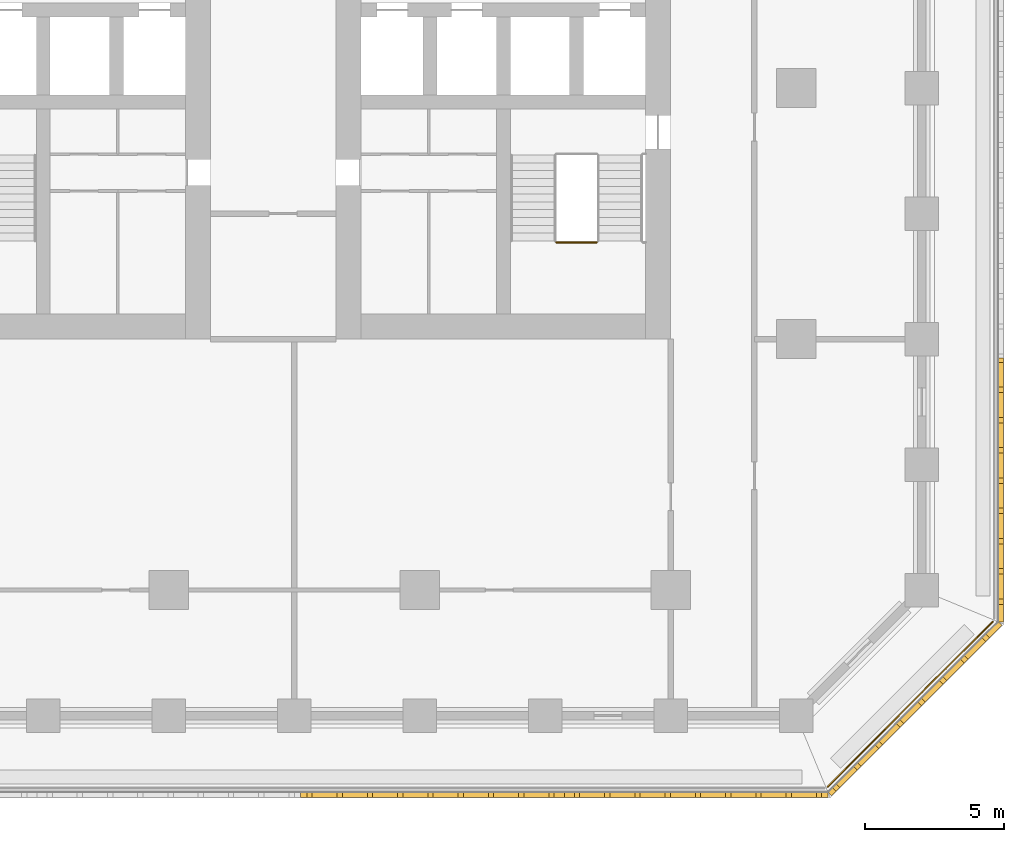
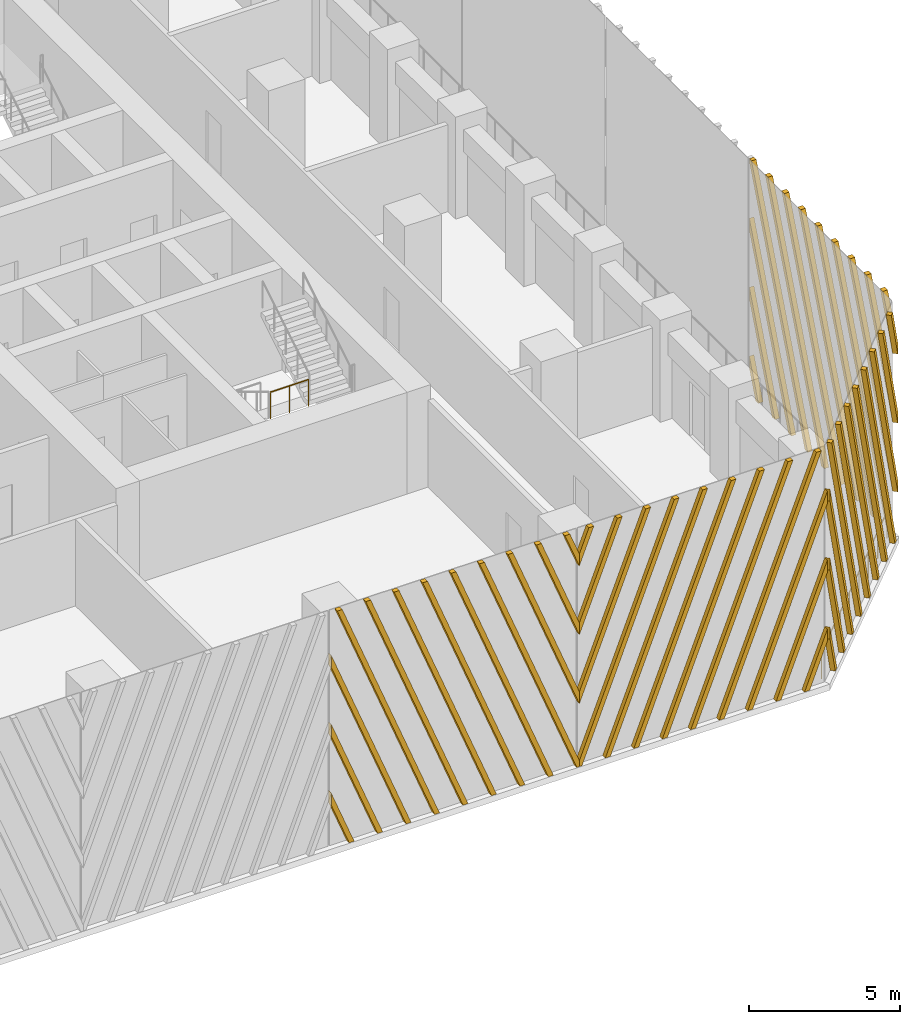
# One storey, part 10 of 17: 4 shading devices, 2 railings.
"""IFC4 building model written with IfcOpenShell, lengths in metres."""

from ifc_helpers import new_model, si_unit, direction, frame, origin, origin_2d, place, context, subcontext, project, spatial, polyline, circle, outline, extrude, source, transform, mapped, material, type_object, element, save


model = new_model("IFC4")

# Units and contexts
model_context = context("Model", 3, precision=1e-05, world=origin(), true_north=direction((0.0, 1.0)))
body_context = subcontext(model_context, "Body", "Model", "MODEL_VIEW")
ifc_project = project(units=[si_unit("LENGTHUNIT", "METRE"), si_unit("AREAUNIT", "SQUARE_METRE"), si_unit("VOLUMEUNIT", "CUBIC_METRE"), si_unit("PLANEANGLEUNIT", "RADIAN"), si_unit("MASSUNIT", "GRAM", prefix="KILO")], contexts=[model_context])

# Site, building, storey
site_placement = place(None, origin())
site = spatial("IfcSite", under=ifc_project, at=site_placement, CompositionType="ELEMENT")
building_placement = place(site_placement, origin())
building = spatial("IfcBuilding", under=site, at=building_placement, Name="Corbel Stack Research Tower", CompositionType="ELEMENT")
storey_placement = place(building_placement, frame((0.0, 0.0, 141.300048828125)))
storey = spatial("IfcBuildingStorey", under=building, at=storey_placement, Name="L32", CompositionType="ELEMENT", Elevation=141.300048828125)

# Railings
ifc_material_1 = material(Name="Steel S355", Category="steel")
railing_type_1 = type_object("IfcRailingType", Name="Stair guard 1100", PredefinedType="GUARDRAIL", material=ifc_material_1)
railing_1_placement = place(storey_placement, frame((13.89990234375, -5.530029296875, 2.050048828125)))
element("IfcRailing", 1, at=railing_1_placement, inside=storey, type_object=railing_type_1, Name="L32 ST-E1 stair guard 2", PredefinedType="GUARDRAIL", context=body_context, shape_type="SweptSolid", body=[
    extrude(circle(Radius=0.02392578125, at=origin_2d()), frame((0.0, 0.0, 1.076171875), z_axis=(1.0, 0.0, 0.0), x_axis=(0.0, 1.0, 0.0)), (0.0, 0.0, 1.0), 1.4501953125),
    extrude(circle(Radius=0.02099609375, at=origin_2d()), origin(), (0.0, 0.0, 1.0), 1.052001953125),
    extrude(circle(Radius=0.02099609375, at=origin_2d()), frame((0.72509765625, 0.0, 0.0)), (0.0, 0.0, 1.0), 1.052001953125),
    extrude(circle(Radius=0.02099609375, at=origin_2d()), frame((1.4501953125, 0.0, 0.0)), (0.0, 0.0, 1.0), 1.052001953125),
])
ifc_material_2 = material(Name="Powder-coated steel guard", Category="steel")
railing_type_2 = type_object("IfcRailingType", Name="Steel and glass guard 1100", PredefinedType="GUARDRAIL", material=ifc_material_2)
railing_2_placement = place(storey_placement, frame((23.627685546875, -25.04931640625, 0.0)))
element("IfcRailing", 2, at=railing_2_placement, inside=storey, type_object=railing_type_2, Name="Loggia guard L32 SE", PredefinedType="GUARDRAIL", context=body_context, shape_type="SweptSolid", body=[
    extrude(circle(Radius=0.02392578125, at=origin_2d()), frame((0.0, 0.0, 1.076171875), z_axis=(0.707106781187, 0.707106781187, 0.0), x_axis=(-0.707106781187, 0.707106781187, 0.0)), (0.0, 0.0, 1.0), 8.37451171875),
    extrude(circle(Radius=0.02099609375, at=origin_2d()), origin(), (0.0, 0.0, 1.0), 1.052001953125),
    extrude(circle(Radius=0.02099609375, at=origin_2d()), frame((0.845947265625, 0.845947265625, 0.0)), (0.0, 0.0, 1.0), 1.052001953125),
    extrude(circle(Radius=0.02099609375, at=origin_2d()), frame((1.69189453125, 1.69189453125, 0.0)), (0.0, 0.0, 1.0), 1.052001953125),
    extrude(circle(Radius=0.02099609375, at=origin_2d()), frame((2.537841796875, 2.537841796875, 0.0)), (0.0, 0.0, 1.0), 1.052001953125),
    extrude(circle(Radius=0.02099609375, at=origin_2d()), frame((3.3837890625, 3.3837890625, 0.0)), (0.0, 0.0, 1.0), 1.052001953125),
    extrude(circle(Radius=0.02099609375, at=origin_2d()), frame((4.229736328125, 4.229736328125, 0.0)), (0.0, 0.0, 1.0), 1.052001953125),
    extrude(circle(Radius=0.02099609375, at=origin_2d()), frame((5.07568359375, 5.07568359375, 0.0)), (0.0, 0.0, 1.0), 1.052001953125),
    extrude(circle(Radius=0.02099609375, at=origin_2d()), frame((5.921630859375, 5.921630859375, 0.0)), (0.0, 0.0, 1.0), 1.052001953125),
])

# Shading devices
ifc_material_3 = material(Name="Precast terracotta", Category="masonry")
shading_device_type = type_object("IfcShadingDeviceType", Name="Terracotta screen panel", PredefinedType="USERDEFINED", material=ifc_material_3)
shared_shape_1 = source(origin(), body_context, "Body", "SweptSolid", [
    extrude(outline(polyline([(0.55126953125, 9.5), (0.361083984375, 9.5), (0.0, 8.5751953125), (0.0, 8.088623046875), (0.55126953125, 9.5)])), frame((0.0, 0.0, 0.0), z_axis=(0.0, -1.0, 0.0), x_axis=(1.0, 0.0, 0.0)), (0.0, 0.0, 1.0), 0.179931640625),
    extrude(outline(polyline([(1.635986328125, 9.5), (1.44580078125, 9.5), (0.0, 5.7978515625), (0.0, 5.311279296875), (1.635986328125, 9.5)])), frame((0.0, 0.0, 0.0), z_axis=(0.0, -1.0, 0.0), x_axis=(1.0, 0.0, 0.0)), (0.0, 0.0, 1.0), 0.179931640625),
    extrude(outline(polyline([(2.720458984375, 9.5), (2.530517578125, 9.5), (0.0, 3.0205078125), (0.0, 2.533935546875), (2.720458984375, 9.5)])), frame((0.0, 0.0, 0.0), z_axis=(0.0, -1.0, 0.0), x_axis=(1.0, 0.0, 0.0)), (0.0, 0.0, 1.0), 0.179931640625),
    extrude(outline(polyline([(0.094970703125, 0.0), (3.80517578125, 9.5), (3.615234375, 9.5), (0.0, 0.2431640625), (0.0, 0.0), (0.094970703125, 0.0)])), frame((0.0, 0.0, 0.0), z_axis=(0.0, -1.0, 0.0), x_axis=(1.0, 0.0, 0.0)), (0.0, 0.0, 1.0), 0.179931640625),
    extrude(outline(polyline([(1.1796875, 0.0), (4.889892578125, 9.5), (4.699951171875, 9.5), (0.98974609375, 0.0), (1.1796875, 0.0)])), frame((0.0, 0.0, 0.0), z_axis=(0.0, -1.0, 0.0), x_axis=(1.0, 0.0, 0.0)), (0.0, 0.0, 1.0), 0.179931640625),
    extrude(outline(polyline([(2.264404296875, 0.0), (5.974609375, 9.5), (5.784423828125, 9.5), (2.07421875, 0.0), (2.264404296875, 0.0)])), frame((0.0, 0.0, 0.0), z_axis=(0.0, -1.0, 0.0), x_axis=(1.0, 0.0, 0.0)), (0.0, 0.0, 1.0), 0.179931640625),
    extrude(outline(polyline([(3.34912109375, 0.0), (7.05908203125, 9.5), (6.869140625, 9.5), (3.158935546875, 0.0), (3.34912109375, 0.0)])), frame((0.0, 0.0, 0.0), z_axis=(0.0, -1.0, 0.0), x_axis=(1.0, 0.0, 0.0)), (0.0, 0.0, 1.0), 0.179931640625),
    extrude(outline(polyline([(4.43359375, 0.0), (8.143798828125, 9.5), (7.953857421875, 9.5), (4.24365234375, 0.0), (4.43359375, 0.0)])), frame((0.0, 0.0, 0.0), z_axis=(0.0, -1.0, 0.0), x_axis=(1.0, 0.0, 0.0)), (0.0, 0.0, 1.0), 0.179931640625),
    extrude(outline(polyline([(5.518310546875, 0.0), (9.228515625, 9.5), (9.03857421875, 9.5), (5.328369140625, 0.0), (5.518310546875, 0.0)])), frame((0.0, 0.0, 0.0), z_axis=(0.0, -1.0, 0.0), x_axis=(1.0, 0.0, 0.0)), (0.0, 0.0, 1.0), 0.179931640625),
    extrude(outline(polyline([(6.60302734375, 0.0), (9.45556640625, 7.30419921875), (9.45556640625, 7.790771484375), (6.4130859375, 0.0), (6.60302734375, 0.0)])), frame((0.0, 0.0, 0.0), z_axis=(0.0, -1.0, 0.0), x_axis=(1.0, 0.0, 0.0)), (0.0, 0.0, 1.0), 0.179931640625),
    extrude(outline(polyline([(7.687744140625, 0.0), (9.45556640625, 4.52685546875), (9.45556640625, 5.013427734375), (7.497802734375, 0.0), (7.687744140625, 0.0)])), frame((0.0, 0.0, 0.0), z_axis=(0.0, -1.0, 0.0), x_axis=(1.0, 0.0, 0.0)), (0.0, 0.0, 1.0), 0.179931640625),
    extrude(outline(polyline([(8.772216796875, 0.0), (9.45556640625, 1.74951171875), (9.45556640625, 2.236083984375), (8.582275390625, 0.0), (8.772216796875, 0.0)])), frame((0.0, 0.0, 0.0), z_axis=(0.0, -1.0, 0.0), x_axis=(1.0, 0.0, 0.0)), (0.0, 0.0, 1.0), 0.179931640625),
])
shading_device_1_placement = place(storey_placement, frame((14.18359375, -25.25, 0.0), z_axis=(0.0, 0.0, 1.0), x_axis=(1.0, 0.0, 0.0)))
element("IfcShadingDevice", 3, at=shading_device_1_placement, inside=storey, type_object=shading_device_type, Name="Terracotta screen L32 S5", ObjectType="SCREEN", PredefinedType="USERDEFINED", context=body_context, shape_type="MappedRepresentation", body=[
    mapped(shared_shape_1, transform((0.0, 0.0, 0.0))),
])
shared_shape_2 = source(origin(), body_context, "Body", "SweptSolid", [
    extrude(outline(polyline([(0.873291015625, 0.0), (0.0, 2.236083984375), (0.0, 1.74951171875), (0.683349609375, 0.0), (0.873291015625, 0.0)])), frame((0.0, 0.0, 0.0), z_axis=(0.0, -1.0, 0.0), x_axis=(1.0, 0.0, 0.0)), (0.0, 0.0, 1.0), 0.179931640625),
    extrude(outline(polyline([(1.9580078125, 0.0), (0.0, 5.013427734375), (0.0, 4.52685546875), (1.76806640625, 0.0), (1.9580078125, 0.0)])), frame((0.0, 0.0, 0.0), z_axis=(0.0, -1.0, 0.0), x_axis=(1.0, 0.0, 0.0)), (0.0, 0.0, 1.0), 0.179931640625),
    extrude(outline(polyline([(3.04248046875, 0.0), (0.0, 7.790771484375), (0.0, 7.30419921875), (2.8525390625, 0.0), (3.04248046875, 0.0)])), frame((0.0, 0.0, 0.0), z_axis=(0.0, -1.0, 0.0), x_axis=(1.0, 0.0, 0.0)), (0.0, 0.0, 1.0), 0.179931640625),
    extrude(outline(polyline([(4.127197265625, 0.0), (0.4169921875, 9.5), (0.22705078125, 9.5), (3.937255859375, 0.0), (4.127197265625, 0.0)])), frame((0.0, 0.0, 0.0), z_axis=(0.0, -1.0, 0.0), x_axis=(1.0, 0.0, 0.0)), (0.0, 0.0, 1.0), 0.179931640625),
    extrude(outline(polyline([(5.2119140625, 0.0), (1.501708984375, 9.5), (1.311767578125, 9.5), (5.02197265625, 0.0), (5.2119140625, 0.0)])), frame((0.0, 0.0, 0.0), z_axis=(0.0, -1.0, 0.0), x_axis=(1.0, 0.0, 0.0)), (0.0, 0.0, 1.0), 0.179931640625),
    extrude(outline(polyline([(6.296630859375, 0.0), (2.58642578125, 9.5), (2.396484375, 9.5), (6.106689453125, 0.0), (6.296630859375, 0.0)])), frame((0.0, 0.0, 0.0), z_axis=(0.0, -1.0, 0.0), x_axis=(1.0, 0.0, 0.0)), (0.0, 0.0, 1.0), 0.179931640625),
    extrude(outline(polyline([(7.38134765625, 0.0), (3.671142578125, 9.5), (3.481201171875, 9.5), (7.19140625, 0.0), (7.38134765625, 0.0)])), frame((0.0, 0.0, 0.0), z_axis=(0.0, -1.0, 0.0), x_axis=(1.0, 0.0, 0.0)), (0.0, 0.0, 1.0), 0.179931640625),
    extrude(outline(polyline([(8.466064453125, 0.0), (4.755859375, 9.5), (4.56591796875, 9.5), (8.27587890625, 0.0), (8.466064453125, 0.0)])), frame((0.0, 0.0, 0.0), z_axis=(0.0, -1.0, 0.0), x_axis=(1.0, 0.0, 0.0)), (0.0, 0.0, 1.0), 0.179931640625),
    extrude(outline(polyline([(9.45556640625, 0.0), (9.45556640625, 0.2431640625), (5.84033203125, 9.5), (5.650390625, 9.5), (9.360595703125, 0.0), (9.45556640625, 0.0)])), frame((0.0, 0.0, 0.0), z_axis=(0.0, -1.0, 0.0), x_axis=(1.0, 0.0, 0.0)), (0.0, 0.0, 1.0), 0.179931640625),
    extrude(outline(polyline([(6.925048828125, 9.5), (6.735107421875, 9.5), (9.45556640625, 2.533935546875), (9.45556640625, 3.0205078125), (6.925048828125, 9.5)])), frame((0.0, 0.0, 0.0), z_axis=(0.0, -1.0, 0.0), x_axis=(1.0, 0.0, 0.0)), (0.0, 0.0, 1.0), 0.179931640625),
    extrude(outline(polyline([(8.009765625, 9.5), (7.81982421875, 9.5), (9.45556640625, 5.311279296875), (9.45556640625, 5.7978515625), (8.009765625, 9.5)])), frame((0.0, 0.0, 0.0), z_axis=(0.0, -1.0, 0.0), x_axis=(1.0, 0.0, 0.0)), (0.0, 0.0, 1.0), 0.179931640625),
    extrude(outline(polyline([(9.094482421875, 9.5), (8.904296875, 9.5), (9.45556640625, 8.088623046875), (9.45556640625, 8.5751953125), (9.094482421875, 9.5)])), frame((0.0, 0.0, 0.0), z_axis=(0.0, -1.0, 0.0), x_axis=(1.0, 0.0, 0.0)), (0.0, 0.0, 1.0), 0.179931640625),
])
shading_device_2_placement = place(storey_placement, frame((4.727783203125, -25.25, 0.0), z_axis=(0.0, 0.0, 1.0), x_axis=(1.0, 0.0, 0.0)))
element("IfcShadingDevice", 4, at=shading_device_2_placement, inside=storey, type_object=shading_device_type, Name="Terracotta screen L32 S4", ObjectType="SCREEN", PredefinedType="USERDEFINED", context=body_context, shape_type="MappedRepresentation", body=[
    mapped(shared_shape_2, transform((0.0, 0.0, 0.0))),
])
shared_shape_3 = source(origin(), body_context, "Body", "SweptSolid", [
    extrude(outline(polyline([(0.873291015625, 0.0), (0.0, 2.236083984375), (0.0, 1.74951171875), (0.683349609375, 0.0), (0.873291015625, 0.0)])), frame((0.0, 0.0, 0.0), z_axis=(0.0, -1.0, 0.0), x_axis=(1.0, 0.0, 0.0)), (0.0, 0.0, 1.0), 0.179931640625),
    extrude(outline(polyline([(1.9580078125, 0.0), (0.0, 5.013427734375), (0.0, 4.52685546875), (1.76806640625, 0.0), (1.9580078125, 0.0)])), frame((0.0, 0.0, 0.0), z_axis=(0.0, -1.0, 0.0), x_axis=(1.0, 0.0, 0.0)), (0.0, 0.0, 1.0), 0.179931640625),
    extrude(outline(polyline([(3.04248046875, 0.0), (0.0, 7.790771484375), (0.0, 7.30419921875), (2.8525390625, 0.0), (3.04248046875, 0.0)])), frame((0.0, 0.0, 0.0), z_axis=(0.0, -1.0, 0.0), x_axis=(1.0, 0.0, 0.0)), (0.0, 0.0, 1.0), 0.179931640625),
    extrude(outline(polyline([(4.127197265625, 0.0), (0.4169921875, 9.5), (0.22705078125, 9.5), (3.937255859375, 0.0), (4.127197265625, 0.0)])), frame((0.0, 0.0, 0.0), z_axis=(0.0, -1.0, 0.0), x_axis=(1.0, 0.0, 0.0)), (0.0, 0.0, 1.0), 0.179931640625),
    extrude(outline(polyline([(5.2119140625, 0.0), (1.501708984375, 9.5), (1.311767578125, 9.5), (5.02197265625, 0.0), (5.2119140625, 0.0)])), frame((0.0, 0.0, 0.0), z_axis=(0.0, -1.0, 0.0), x_axis=(1.0, 0.0, 0.0)), (0.0, 0.0, 1.0), 0.179931640625),
    extrude(outline(polyline([(6.296630859375, 0.0), (2.58642578125, 9.5), (2.396484375, 9.5), (6.106689453125, 0.0), (6.296630859375, 0.0)])), frame((0.0, 0.0, 0.0), z_axis=(0.0, -1.0, 0.0), x_axis=(1.0, 0.0, 0.0)), (0.0, 0.0, 1.0), 0.179931640625),
    extrude(outline(polyline([(7.38134765625, 0.0), (3.671142578125, 9.5), (3.481201171875, 9.5), (7.19140625, 0.0), (7.38134765625, 0.0)])), frame((0.0, 0.0, 0.0), z_axis=(0.0, -1.0, 0.0), x_axis=(1.0, 0.0, 0.0)), (0.0, 0.0, 1.0), 0.179931640625),
    extrude(outline(polyline([(8.466064453125, 0.0), (4.755859375, 9.5), (4.56591796875, 9.5), (8.27587890625, 0.0), (8.466064453125, 0.0)])), frame((0.0, 0.0, 0.0), z_axis=(0.0, -1.0, 0.0), x_axis=(1.0, 0.0, 0.0)), (0.0, 0.0, 1.0), 0.179931640625),
    extrude(outline(polyline([(5.84033203125, 9.5), (5.650390625, 9.5), (8.64208984375, 1.839599609375), (8.64208984375, 2.326171875), (5.84033203125, 9.5)])), frame((0.0, 0.0, 0.0), z_axis=(0.0, -1.0, 0.0), x_axis=(1.0, 0.0, 0.0)), (0.0, 0.0, 1.0), 0.179931640625),
    extrude(outline(polyline([(6.925048828125, 9.5), (6.735107421875, 9.5), (8.64208984375, 4.616943359375), (8.64208984375, 5.103515625), (6.925048828125, 9.5)])), frame((0.0, 0.0, 0.0), z_axis=(0.0, -1.0, 0.0), x_axis=(1.0, 0.0, 0.0)), (0.0, 0.0, 1.0), 0.179931640625),
    extrude(outline(polyline([(8.009765625, 9.5), (7.81982421875, 9.5), (8.64208984375, 7.394287109375), (8.64208984375, 7.880859375), (8.009765625, 9.5)])), frame((0.0, 0.0, 0.0), z_axis=(0.0, -1.0, 0.0), x_axis=(1.0, 0.0, 0.0)), (0.0, 0.0, 1.0), 0.179931640625),
])
shading_device_3_placement = place(storey_placement, frame((23.63916015625, -25.25, 0.0), z_axis=(0.0, 0.0, 1.0), x_axis=(0.707106781187, 0.707106781187, 0.0)))
element("IfcShadingDevice", 5, at=shading_device_3_placement, inside=storey, type_object=shading_device_type, Name="Terracotta screen L32 SE1", ObjectType="SCREEN", PredefinedType="USERDEFINED", context=body_context, shape_type="MappedRepresentation", body=[
    mapped(shared_shape_3, transform((0.0, 0.0, 0.0))),
])
shared_shape_4 = source(origin(), body_context, "Body", "SweptSolid", [
    extrude(outline(polyline([(0.822509765625, 9.5), (0.63232421875, 9.5), (0.0, 7.880859375), (0.0, 7.394287109375), (0.822509765625, 9.5)])), frame((0.0, 0.0, 0.0), z_axis=(0.0, -1.0, 0.0), x_axis=(1.0, 0.0, 0.0)), (0.0, 0.0, 1.0), 0.179931640625),
    extrude(outline(polyline([(1.906982421875, 9.5), (1.717041015625, 9.5), (0.0, 5.103515625), (0.0, 4.616943359375), (1.906982421875, 9.5)])), frame((0.0, 0.0, 0.0), z_axis=(0.0, -1.0, 0.0), x_axis=(1.0, 0.0, 0.0)), (0.0, 0.0, 1.0), 0.179931640625),
    extrude(outline(polyline([(2.99169921875, 9.5), (2.8017578125, 9.5), (0.0, 2.326171875), (0.0, 1.839599609375), (2.99169921875, 9.5)])), frame((0.0, 0.0, 0.0), z_axis=(0.0, -1.0, 0.0), x_axis=(1.0, 0.0, 0.0)), (0.0, 0.0, 1.0), 0.179931640625),
    extrude(outline(polyline([(0.3662109375, 0.0), (4.076416015625, 9.5), (3.886474609375, 9.5), (0.17626953125, 0.0), (0.3662109375, 0.0)])), frame((0.0, 0.0, 0.0), z_axis=(0.0, -1.0, 0.0), x_axis=(1.0, 0.0, 0.0)), (0.0, 0.0, 1.0), 0.179931640625),
    extrude(outline(polyline([(1.45068359375, 0.0), (5.160888671875, 9.5), (4.970947265625, 9.5), (1.2607421875, 0.0), (1.45068359375, 0.0)])), frame((0.0, 0.0, 0.0), z_axis=(0.0, -1.0, 0.0), x_axis=(1.0, 0.0, 0.0)), (0.0, 0.0, 1.0), 0.179931640625),
    extrude(outline(polyline([(2.535400390625, 0.0), (6.24560546875, 9.5), (6.0556640625, 9.5), (2.345458984375, 0.0), (2.535400390625, 0.0)])), frame((0.0, 0.0, 0.0), z_axis=(0.0, -1.0, 0.0), x_axis=(1.0, 0.0, 0.0)), (0.0, 0.0, 1.0), 0.179931640625),
    extrude(outline(polyline([(3.6201171875, 0.0), (7.330322265625, 9.5), (7.140380859375, 9.5), (3.43017578125, 0.0), (3.6201171875, 0.0)])), frame((0.0, 0.0, 0.0), z_axis=(0.0, -1.0, 0.0), x_axis=(1.0, 0.0, 0.0)), (0.0, 0.0, 1.0), 0.179931640625),
    extrude(outline(polyline([(4.704833984375, 0.0), (8.4150390625, 9.5), (8.22509765625, 9.5), (4.514892578125, 0.0), (4.704833984375, 0.0)])), frame((0.0, 0.0, 0.0), z_axis=(0.0, -1.0, 0.0), x_axis=(1.0, 0.0, 0.0)), (0.0, 0.0, 1.0), 0.179931640625),
    extrude(outline(polyline([(5.78955078125, 0.0), (9.45556640625, 9.38720703125), (9.45556640625, 9.5), (9.309814453125, 9.5), (5.599609375, 0.0), (5.78955078125, 0.0)])), frame((0.0, 0.0, 0.0), z_axis=(0.0, -1.0, 0.0), x_axis=(1.0, 0.0, 0.0)), (0.0, 0.0, 1.0), 0.179931640625),
    extrude(outline(polyline([(6.874267578125, 0.0), (9.45556640625, 6.60986328125), (9.45556640625, 7.096435546875), (6.68408203125, 0.0), (6.874267578125, 0.0)])), frame((0.0, 0.0, 0.0), z_axis=(0.0, -1.0, 0.0), x_axis=(1.0, 0.0, 0.0)), (0.0, 0.0, 1.0), 0.179931640625),
    extrude(outline(polyline([(7.958740234375, 0.0), (9.45556640625, 3.83251953125), (9.45556640625, 4.319091796875), (7.768798828125, 0.0), (7.958740234375, 0.0)])), frame((0.0, 0.0, 0.0), z_axis=(0.0, -1.0, 0.0), x_axis=(1.0, 0.0, 0.0)), (0.0, 0.0, 1.0), 0.179931640625),
    extrude(outline(polyline([(9.04345703125, 0.0), (9.45556640625, 1.055419921875), (9.45556640625, 1.541748046875), (8.853515625, 0.0), (9.04345703125, 0.0)])), frame((0.0, 0.0, 0.0), z_axis=(0.0, -1.0, 0.0), x_axis=(1.0, 0.0, 0.0)), (0.0, 0.0, 1.0), 0.179931640625),
])
shading_device_4_placement = place(storey_placement, frame((29.75, -19.13916015625, 0.0), z_axis=(0.0, 0.0, 1.0), x_axis=(0.0, 1.0, 0.0)))
element("IfcShadingDevice", 6, at=shading_device_4_placement, inside=storey, type_object=shading_device_type, Name="Terracotta screen L32 E1", ObjectType="SCREEN", PredefinedType="USERDEFINED", context=body_context, shape_type="MappedRepresentation", body=[
    mapped(shared_shape_4, transform((0.0, 0.0, 0.0))),
])

save(model, "model.ifc")
